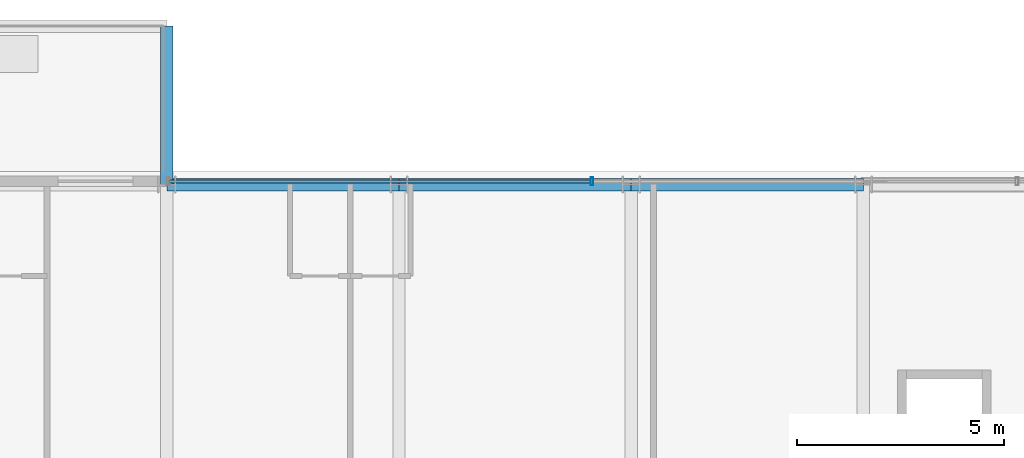
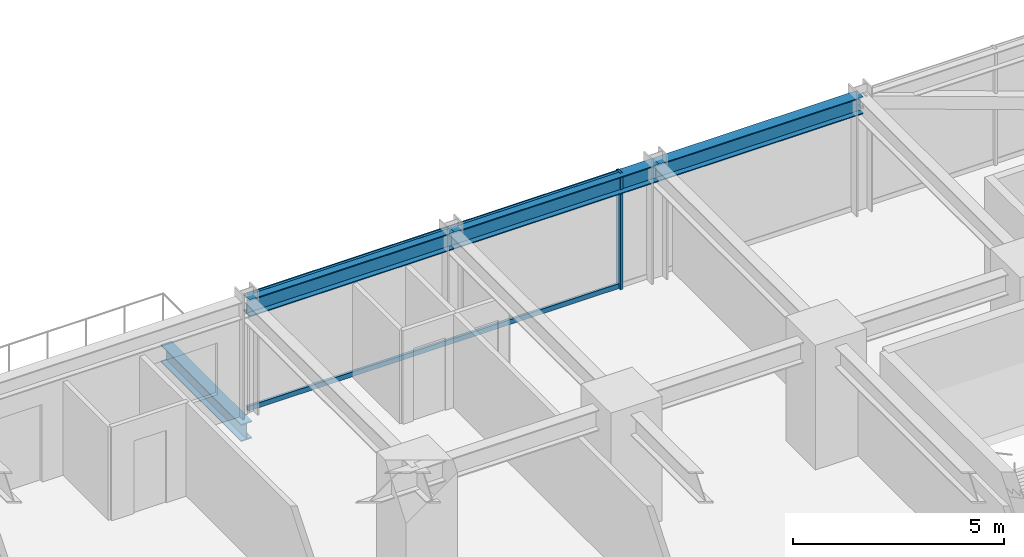
# One storey, part 28 of 41: 4 beams, 3 members, 1 element without a shape of its own.
"""IFC4 building model written with IfcOpenShell, lengths in metres."""

from ifc_helpers import new_model, si_unit, direction, frame, origin, origin_2d, place, context, subcontext, project, spatial, hollow_rectangle, i_section, extrude, source, transform, mapped, material, material_profile, profile_set, type_object, element, aggregate, save


model = new_model("IFC4")

# Units and contexts
model_context = context("Model", 3, precision=1e-05, world=origin(), true_north=direction((0.0, 1.0)))
body_context = subcontext(model_context, "Body", "Model", "MODEL_VIEW")
ifc_project = project(units=[si_unit("LENGTHUNIT", "METRE"), si_unit("AREAUNIT", "SQUARE_METRE"), si_unit("VOLUMEUNIT", "CUBIC_METRE"), si_unit("PLANEANGLEUNIT", "RADIAN"), si_unit("MASSUNIT", "GRAM", prefix="KILO")], contexts=[model_context])

# Site, building, storey
site_placement = place(None, origin())
site = spatial("IfcSite", under=ifc_project, at=site_placement, CompositionType="ELEMENT")
building_placement = place(site_placement, origin())
building = spatial("IfcBuilding", under=site, at=building_placement, Name="Nahalor Promenade Grand Hotel", CompositionType="ELEMENT")
storey_placement = place(building_placement, frame((0.0, 0.0, 54.300048828125)))
storey = spatial("IfcBuildingStorey", under=building, at=storey_placement, Name="L12", CompositionType="ELEMENT", Elevation=54.300048828125)

# Beams
ifc_material_1 = material(Name="Steel S355JR", Category="steel")
ifc_material_profile_1 = material_profile(ifc_material_1, i_section(OverallWidth=0.3, OverallDepth=0.5, WebThickness=0.0145, FlangeThickness=0.028, at=origin_2d()), Name="HEB 500")
ifc_profile_set_1 = profile_set([ifc_material_profile_1], Name="Steel S355JR")
beam_type_1 = type_object("IfcBeamType", Name="Beam-Outrigger-HEB500", PredefinedType="BEAM", material=ifc_profile_set_1)
shared_shape_1 = source(origin(), body_context, "Body", "SweptSolid", [
    extrude(i_section(OverallWidth=0.3, OverallDepth=0.5, WebThickness=0.0145, FlangeThickness=0.028, at=origin_2d()), origin(), (0.0, 0.0, 1.0), 3.81982421875),
])
beam_1_placement = place(storey_placement, frame((-8.39990234375, 25.080078125, -0.530029296875), z_axis=(0.0, 1.0, 0.0), x_axis=(-1.0, 0.0, 0.0)))
element("IfcBeam", 1, at=beam_1_placement, inside=storey, type_object=beam_type_1, Name="BM-L12-BC-01-2", PredefinedType="BEAM", context=body_context, shape_type="MappedRepresentation", body=[
    mapped(shared_shape_1, transform((0.0, 0.0, 0.0), scale=1.0)),
])
ifc_material_profile_2 = material_profile(ifc_material_1, i_section(OverallWidth=0.3, OverallDepth=0.5, WebThickness=0.0145, FlangeThickness=0.028, at=origin_2d()), Name="HEB 500")
ifc_profile_set_2 = profile_set([ifc_material_profile_2], Name="Steel S355JR")
beam_type_2 = type_object("IfcBeamType", Name="Beam-Spandrel-HEB500", PredefinedType="SPANDREL", material=ifc_profile_set_2)
shared_shape_2 = source(origin(), body_context, "Body", "SweptSolid", [
    extrude(i_section(OverallWidth=0.3, OverallDepth=0.5, WebThickness=0.0145, FlangeThickness=0.028, at=origin_2d()), origin(), (0.0, 0.0, 1.0), 5.599853515625),
])
for number, where, z_axis, x_axis, name in (
    (2, (-8.39990234375, 25.080078125, 3.119873046875), (1.0, 0.0, 0.0), (0.0, 1.0, 0.0), "BM-L12-SP-N-1"),
    (3, (2.800048828125, 25.080078125, 3.119873046875), (1.0, 0.0, 0.0), (0.0, 1.0, 0.0), "BM-L12-SP-N-3"),
):
    element("IfcBeam", number, at=place(storey_placement, frame(where, z_axis=z_axis, x_axis=x_axis)), inside=storey, type_object=beam_type_2, Name=name, PredefinedType="SPANDREL", context=body_context, shape_type="MappedRepresentation", body=[
        mapped(shared_shape_2, transform((0.0, 0.0, 0.0), scale=1.0)),
    ])
shared_shape_3 = source(origin(), body_context, "Body", "SweptSolid", [
    extrude(i_section(OverallWidth=0.3, OverallDepth=0.5, WebThickness=0.0145, FlangeThickness=0.028, at=origin_2d()), origin(), (0.0, 0.0, 1.0), 5.60009765625),
])
beam_2_placement = place(storey_placement, frame((-2.800048828125, 25.080078125, 3.119873046875), z_axis=(1.0, 0.0, 0.0), x_axis=(0.0, 1.0, 0.0)))
element("IfcBeam", 4, at=beam_2_placement, inside=storey, type_object=beam_type_2, Name="BM-L12-SP-N-2", PredefinedType="SPANDREL", context=body_context, shape_type="MappedRepresentation", body=[
    mapped(shared_shape_3, transform((0.0, 0.0, 0.0), scale=1.0)),
])

# Curtain wall, members
ifc_material_2 = material(Name="Anodised Bronze Aluminium EN AW-6063 T6", Category="aluminium")
curtain_wall_type = type_object("IfcCurtainWallType", Name="CW3 Elliptical-Void Collar Unitised Curtain Wall", PredefinedType="USERDEFINED", material=ifc_material_2)
curtain_wall_placement = place(storey_placement, origin())
curtain_wall = element("IfcCurtainWall", 5, at=curtain_wall_placement, inside=storey, type_object=curtain_wall_type, Name="L12 Curtain Wall CW-L12-N-3", ObjectType="UNITISED_CURTAIN_WALL", PredefinedType="USERDEFINED")
ifc_material_profile_3 = material_profile(ifc_material_2, hollow_rectangle(XDim=0.07, YDim=0.2, WallThickness=0.005, at=origin_2d()), Name="CWM 70x200x5")
ifc_profile_set_3 = profile_set([ifc_material_profile_3], Name="Anodised Bronze Aluminium EN AW-6063 T6")
member_type_1 = type_object("IfcMemberType", Name="CWM3 Void Collar Mullion 70x200", PredefinedType="MULLION", material=ifc_profile_set_3)
shared_shape_4 = source(origin(), body_context, "Body", "SweptSolid", [
    extrude(hollow_rectangle(XDim=0.07, YDim=0.2, WallThickness=0.005, at=origin_2d()), origin(), (0.0, 0.0, 1.0), 3.369873046875),
])
member_1_placement = place(storey_placement, frame((1.853271484375, 25.159912109375, 0.0), z_axis=(0.0, 0.0, 1.0), x_axis=(1.0, 0.0, 0.0)))
member_1 = element("IfcMember", 6, at=member_1_placement, type_object=member_type_1, Name="CW-L12-N-3 Mullion 1", PredefinedType="MULLION", context=body_context, shape_type="MappedRepresentation", body=[
    mapped(shared_shape_4, transform((0.0, 0.0, 0.0), scale=1.0)),
])
ifc_material_profile_4 = material_profile(ifc_material_2, hollow_rectangle(XDim=0.07, YDim=0.14, WallThickness=0.004, at=origin_2d()), Name="CWT 70x140x4")
ifc_profile_set_4 = profile_set([ifc_material_profile_4], Name="Anodised Bronze Aluminium EN AW-6063 T6")
member_type_2 = type_object("IfcMemberType", Name="CWT3 Void Collar Transom 70x140", PredefinedType="USERDEFINED", material=ifc_profile_set_4)
shared_shape_5 = source(origin(), body_context, "Body", "SweptSolid", [
    extrude(hollow_rectangle(XDim=0.07, YDim=0.14, WallThickness=0.004, at=origin_2d()), origin(), (0.0, 0.0, 1.0), 10.1484375),
])
member_2_placement = place(storey_placement, frame((-8.330078125, 25.159912109375, 0.070068359375), z_axis=(1.0, 0.0, 0.0), x_axis=(0.0, 1.0, 0.0)))
member_2 = element("IfcMember", 7, at=member_2_placement, type_object=member_type_2, Name="CW-L12-N-3 Transom 0-0", ObjectType="TRANSOM", PredefinedType="USERDEFINED", context=body_context, shape_type="MappedRepresentation", body=[
    mapped(shared_shape_5, transform((0.0, 0.0, 0.0), scale=1.0)),
])
member_3_placement = place(storey_placement, frame((-8.330078125, 25.159912109375, 3.300048828125), z_axis=(1.0, 0.0, 0.0), x_axis=(0.0, 1.0, 0.0)))
member_3 = element("IfcMember", 8, at=member_3_placement, type_object=member_type_2, Name="CW-L12-N-3 Transom 0-1", ObjectType="TRANSOM", PredefinedType="USERDEFINED", context=body_context, shape_type="MappedRepresentation", body=[
    mapped(shared_shape_5, transform((0.0, 0.0, 0.0), scale=1.0)),
])
aggregate(curtain_wall, [member_1, member_2, member_3])

save(model, "model.ifc")
